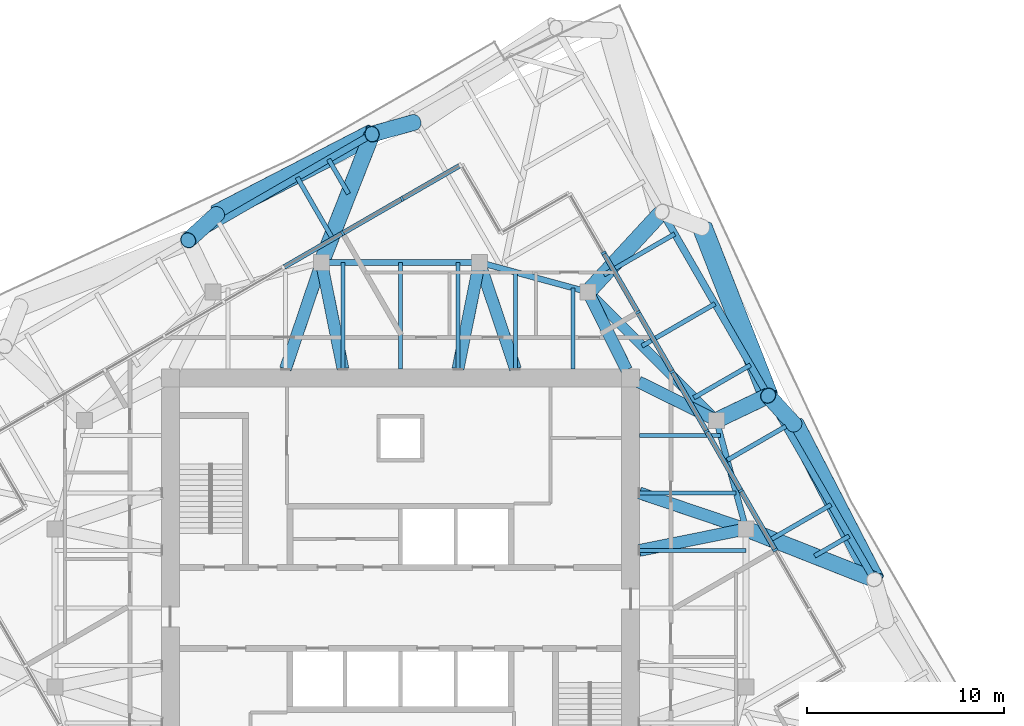
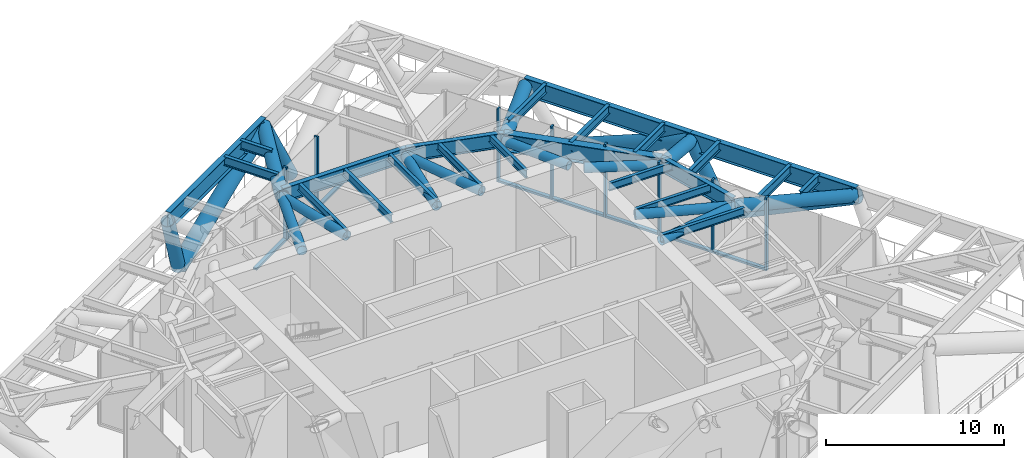
# One storey, part 5 of 12: 34 members, 23 beams, 2 elements without a shape of their own.
"""IFC4 building model written with IfcOpenShell, lengths in metres."""

from ifc_helpers import new_model, si_unit, direction, frame, origin, origin_2d, place, context, subcontext, project, spatial, rectangle, hollow_circle, i_section, extrude, material, material_profile, profile_set, type_object, element, aggregate, save


model = new_model("IFC4")

# Units and contexts
model_context = context("Model", 3, precision=1e-05, world=origin(), true_north=direction((0.0, 1.0)))
body_context = subcontext(model_context, "Body", "Model", "MODEL_VIEW")
ifc_project = project(units=[si_unit("LENGTHUNIT", "METRE"), si_unit("AREAUNIT", "SQUARE_METRE"), si_unit("VOLUMEUNIT", "CUBIC_METRE"), si_unit("PLANEANGLEUNIT", "RADIAN"), si_unit("MASSUNIT", "GRAM", prefix="KILO")], contexts=[model_context])

# Site, building, storey
site_placement = place(None, origin())
site = spatial("IfcSite", under=ifc_project, at=site_placement, CompositionType="ELEMENT")
building_placement = place(site_placement, origin())
building = spatial("IfcBuilding", under=site, at=building_placement, Name="Torsade Residences", CompositionType="ELEMENT")
storey_placement = place(building_placement, frame((0.0, 0.0, 203.199951171875)))
storey = spatial("IfcBuildingStorey", under=building, at=storey_placement, Name="L56", CompositionType="ELEMENT", Elevation=203.199951171875)

# Curtain wall, members
ifc_material_1 = material(Name="Aluminium and glass", Category="aluminium")
curtain_wall_type = type_object("IfcCurtainWallType", Name="TRANSFER LEVEL CURTAIN WALL HIGH ZONE", PredefinedType="NOTDEFINED", material=ifc_material_1)
curtain_wall_1_placement = place(storey_placement, origin())
curtain_wall_1 = element("IfcCurtainWall", 1, at=curtain_wall_1_placement, inside=storey, type_object=curtain_wall_type, Name="Curtain wall L56 face 4", PredefinedType="NOTDEFINED")
ifc_material_2 = material(Name="Aluminium mullion", Category="aluminium")
ifc_material_profile_1 = material_profile(ifc_material_2, rectangle(XDim=0.25, YDim=0.1201171875, at=origin_2d()), Name="HIGH ZONE TRANSFER CURTAIN WALL MULLION 250x120")
ifc_profile_set_1 = profile_set([ifc_material_profile_1], Name="Aluminium mullion")
member_type_1 = type_object("IfcMemberType", Name="HIGH ZONE TRANSFER CURTAIN WALL MULLION 250x120", PredefinedType="MULLION", material=ifc_profile_set_1)
member_1_placement = place(storey_placement, frame((58.976806640625, 32.93115234375, 0.0), z_axis=(0.0, 0.0, 1.0), x_axis=(-0.86602540176, -0.500000003507, 0.0)))
member_1 = element("IfcMember", 2, at=member_1_placement, type_object=member_type_1, Name="Mullion 3", PredefinedType="MULLION", context=body_context, shape_type="SweptSolid", body=[
    extrude(rectangle(XDim=0.25, YDim=0.1201171875, at=origin_2d()), origin(), (0.0, 0.0, 1.0), 5.0),
])
member_2_placement = place(storey_placement, frame((57.2392578125, 35.940673828125, 0.0), z_axis=(0.0, 0.0, 1.0), x_axis=(-0.86602540176, -0.500000003507, 0.0)))
member_2 = element("IfcMember", 3, at=member_2_placement, type_object=member_type_1, Name="Mullion 4", PredefinedType="MULLION", context=body_context, shape_type="SweptSolid", body=[
    extrude(rectangle(XDim=0.25, YDim=0.1201171875, at=origin_2d()), origin(), (0.0, 0.0, 1.0), 5.0),
])
member_3_placement = place(storey_placement, frame((55.501953125, 38.949951171875, 0.0), z_axis=(0.0, 0.0, 1.0), x_axis=(-0.86602540176, -0.500000003507, 0.0)))
member_3 = element("IfcMember", 4, at=member_3_placement, type_object=member_type_1, Name="Mullion 5", PredefinedType="MULLION", context=body_context, shape_type="SweptSolid", body=[
    extrude(rectangle(XDim=0.25, YDim=0.1201171875, at=origin_2d()), origin(), (0.0, 0.0, 1.0), 5.0),
])
member_4_placement = place(storey_placement, frame((53.764404296875, 41.95947265625, 0.0), z_axis=(0.0, 0.0, 1.0), x_axis=(-0.86602540176, -0.500000003507, 0.0)))
member_4 = element("IfcMember", 5, at=member_4_placement, type_object=member_type_1, Name="Mullion 6", PredefinedType="MULLION", context=body_context, shape_type="SweptSolid", body=[
    extrude(rectangle(XDim=0.25, YDim=0.1201171875, at=origin_2d()), origin(), (0.0, 0.0, 1.0), 5.0),
])
member_5_placement = place(storey_placement, frame((52.02685546875, 44.968994140625, 0.0), z_axis=(0.0, 0.0, 1.0), x_axis=(-0.86602540176, -0.500000003507, 0.0)))
member_5 = element("IfcMember", 6, at=member_5_placement, type_object=member_type_1, Name="Mullion 7", PredefinedType="MULLION", context=body_context, shape_type="SweptSolid", body=[
    extrude(rectangle(XDim=0.25, YDim=0.1201171875, at=origin_2d()), origin(), (0.0, 0.0, 1.0), 5.0),
])
member_6_placement = place(storey_placement, frame((50.289306640625, 47.978271484375, 0.0), z_axis=(0.0, 0.0, 1.0), x_axis=(-0.86602540176, -0.500000003507, 0.0)))
member_6 = element("IfcMember", 7, at=member_6_placement, type_object=member_type_1, Name="Mullion 8", PredefinedType="MULLION", context=body_context, shape_type="SweptSolid", body=[
    extrude(rectangle(XDim=0.25, YDim=0.1201171875, at=origin_2d()), origin(), (0.0, 0.0, 1.0), 5.0),
])

curtain_wall_2_placement = place(storey_placement, origin())
curtain_wall_2 = element("IfcCurtainWall", 8, at=curtain_wall_2_placement, inside=storey, type_object=curtain_wall_type, Name="Curtain wall L56 face 7", PredefinedType="NOTDEFINED")
member_7_placement = place(storey_placement, frame((40.078369140625, 50.71435546875, 0.0), z_axis=(0.0, 0.0, 1.0), x_axis=(0.500000003507, -0.86602540176, 0.0)))
member_7 = element("IfcMember", 9, at=member_7_placement, type_object=member_type_1, Name="Mullion 2", PredefinedType="MULLION", context=body_context, shape_type="SweptSolid", body=[
    extrude(rectangle(XDim=0.25, YDim=0.1201171875, at=origin_2d()), origin(), (0.0, 0.0, 1.0), 5.0),
])
member_8_placement = place(storey_placement, frame((37.06884765625, 48.976806640625, 0.0), z_axis=(0.0, 0.0, 1.0), x_axis=(0.500000003507, -0.86602540176, 0.0)))
member_8 = element("IfcMember", 10, at=member_8_placement, type_object=member_type_1, Name="Mullion 3", PredefinedType="MULLION", context=body_context, shape_type="SweptSolid", body=[
    extrude(rectangle(XDim=0.25, YDim=0.1201171875, at=origin_2d()), origin(), (0.0, 0.0, 1.0), 5.0),
])

# Member
ifc_material_3 = material(Name="Aluminium transom", Category="aluminium")
ifc_material_profile_2 = material_profile(ifc_material_3, rectangle(XDim=0.25, YDim=0.139892578125, at=origin_2d()), Name="HIGH ZONE TRANSFER CURTAIN WALL TRANSOM 250x140")
ifc_profile_set_2 = profile_set([ifc_material_profile_2], Name="Aluminium transom")
member_type_2 = type_object("IfcMemberType", Name="HIGH ZONE TRANSFER CURTAIN WALL TRANSOM 250x140", PredefinedType="USERDEFINED", material=ifc_profile_set_2)
member_9_placement = place(storey_placement, frame((58.94677734375, 32.983154296875, 0.070068359375), z_axis=(-0.499997513821, 0.866026839176, 0.0), x_axis=(-0.866026839176, -0.499997513821, 0.0)))
member_9 = element("IfcMember", 11, at=member_9_placement, type_object=member_type_2, Name="Transom 3.1", ObjectType="TRANSOM", PredefinedType="USERDEFINED", context=body_context, shape_type="SweptSolid", body=[
    extrude(rectangle(XDim=0.25, YDim=0.139892578125, at=origin_2d()), origin(), (0.0, 0.0, 1.0), 3.35498046875),
])

member_10_placement = place(storey_placement, frame((57.20947265625, 35.992431640625, 0.070068359375), z_axis=(-0.50005208796, 0.865995328698, 0.0), x_axis=(-0.865995328698, -0.50005208796, 0.0)))
member_10 = element("IfcMember", 12, at=member_10_placement, type_object=member_type_2, Name="Transom 4.1", ObjectType="TRANSOM", PredefinedType="USERDEFINED", context=body_context, shape_type="SweptSolid", body=[
    extrude(rectangle(XDim=0.25, YDim=0.139892578125, at=origin_2d()), origin(), (0.0, 0.0, 1.0), 3.355224609375),
])

member_11_placement = place(storey_placement, frame((55.471923828125, 39.001953125, 0.070068359375), z_axis=(-0.499997513821, 0.866026839176, 0.0), x_axis=(-0.866026839176, -0.499997513821, 0.0)))
member_11 = element("IfcMember", 13, at=member_11_placement, type_object=member_type_2, Name="Transom 5.1", ObjectType="TRANSOM", PredefinedType="USERDEFINED", context=body_context, shape_type="SweptSolid", body=[
    extrude(rectangle(XDim=0.25, YDim=0.139892578125, at=origin_2d()), origin(), (0.0, 0.0, 1.0), 3.35498046875),
])

member_12_placement = place(storey_placement, frame((53.734375, 42.011474609375, 0.070068359375), z_axis=(-0.499997513821, 0.866026839176, 0.0), x_axis=(-0.866026839176, -0.499997513821, 0.0)))
member_12 = element("IfcMember", 14, at=member_12_placement, type_object=member_type_2, Name="Transom 6.1", ObjectType="TRANSOM", PredefinedType="USERDEFINED", context=body_context, shape_type="SweptSolid", body=[
    extrude(rectangle(XDim=0.25, YDim=0.139892578125, at=origin_2d()), origin(), (0.0, 0.0, 1.0), 3.35498046875),
])

member_13_placement = place(storey_placement, frame((51.996826171875, 45.020751953125, 0.070068359375), z_axis=(-0.499997513821, 0.866026839176, 0.0), x_axis=(-0.866026839176, -0.499997513821, 0.0)))
member_13 = element("IfcMember", 15, at=member_13_placement, type_object=member_type_2, Name="Transom 7.1", ObjectType="TRANSOM", PredefinedType="USERDEFINED", context=body_context, shape_type="SweptSolid", body=[
    extrude(rectangle(XDim=0.25, YDim=0.139892578125, at=origin_2d()), origin(), (0.0, 0.0, 1.0), 3.35498046875),
])

aggregate(curtain_wall_1, [member_1, member_2, member_3, member_4, member_5, member_6, member_9, member_10, member_11, member_12, member_13])

member_14_placement = place(storey_placement, frame((42.98388671875, 52.391845703125, 0.070068359375), z_axis=(-0.866027647951, -0.499996112969, 0.0), x_axis=(0.499996112969, -0.866027647951, 0.0)))
member_14 = element("IfcMember", 16, at=member_14_placement, type_object=member_type_2, Name="Transom 1.1", ObjectType="TRANSOM", PredefinedType="USERDEFINED", context=body_context, shape_type="SweptSolid", body=[
    extrude(rectangle(XDim=0.25, YDim=0.139892578125, at=origin_2d()), origin(), (0.0, 0.0, 1.0), 3.294921875),
])

member_15_placement = place(storey_placement, frame((40.0263671875, 50.684326171875, 0.070068359375), z_axis=(-0.866026839176, -0.499997513821, 0.0), x_axis=(0.499997513821, -0.866026839176, 0.0)))
member_15 = element("IfcMember", 17, at=member_15_placement, type_object=member_type_2, Name="Transom 2.1", ObjectType="TRANSOM", PredefinedType="USERDEFINED", context=body_context, shape_type="SweptSolid", body=[
    extrude(rectangle(XDim=0.25, YDim=0.139892578125, at=origin_2d()), origin(), (0.0, 0.0, 1.0), 3.35498046875),
])

member_16_placement = place(storey_placement, frame((37.016845703125, 48.94677734375, 0.070068359375), z_axis=(-0.866026839176, -0.499997513821, 0.0), x_axis=(0.499997513821, -0.866026839176, 0.0)))
member_16 = element("IfcMember", 18, at=member_16_placement, type_object=member_type_2, Name="Transom 3.1", ObjectType="TRANSOM", PredefinedType="USERDEFINED", context=body_context, shape_type="SweptSolid", body=[
    extrude(rectangle(XDim=0.25, YDim=0.139892578125, at=origin_2d()), origin(), (0.0, 0.0, 1.0), 3.35498046875),
])

aggregate(curtain_wall_2, [member_7, member_8, member_14, member_15, member_16])

# Beams
ifc_material_4 = material(Name="Steel grade 300", Category="steel")
ifc_material_profile_3 = material_profile(ifc_material_4, i_section(OverallWidth=0.208984375, OverallDepth=0.528076171875, WebThickness=0.009521484375, FlangeThickness=0.01318359375, FilletRadius=0.013916015625, at=origin_2d()), Name="530UB82.0")
ifc_profile_set_3 = profile_set([ifc_material_profile_3], Name="Steel grade 300")
beam_type_1 = type_object("IfcBeamType", Name="INNER FLOOR BEAM 530UB82.0", PredefinedType="JOIST", material=ifc_profile_set_3)
for number, where, z_axis, x_axis, name in (
    (19, (37.08740234375, 42.10009765625, 4.5859375), (0.0, 1.0, 0.0), (-1.0, 0.0, 0.0), "Inner floor beam IN03 L57"),
    (20, (40.0, 42.10009765625, 4.5859375), (0.0, 1.0, 0.0), (-1.0, 0.0, 0.0), "Inner floor beam IN04 L57"),
    (21, (42.91259765625, 42.10009765625, 4.5859375), (0.0, 1.0, 0.0), (-1.0, 0.0, 0.0), "Inner floor beam IN05 L57"),
):
    element("IfcBeam", number, at=place(storey_placement, frame(where, z_axis=z_axis, x_axis=x_axis)), inside=storey, type_object=beam_type_1, Name=name, PredefinedType="JOIST", context=body_context, shape_type="SweptSolid", body=[
        extrude(i_section(OverallWidth=0.208984375, OverallDepth=0.528076171875, WebThickness=0.009521484375, FlangeThickness=0.01318359375, FilletRadius=0.013916015625, at=origin_2d()), origin(), (0.0, 0.0, 1.0), 5.39990234375),
    ])
beam_1_placement = place(storey_placement, frame((45.824951171875, 42.10009765625, 4.5859375), z_axis=(0.0, 1.0, 0.0), x_axis=(-1.0, 0.0, 0.0)))
element("IfcBeam", 22, at=beam_1_placement, inside=storey, type_object=beam_type_1, Name="Inner floor beam IN06 L57", PredefinedType="JOIST", context=body_context, shape_type="SweptSolid", body=[
    extrude(i_section(OverallWidth=0.208984375, OverallDepth=0.528076171875, WebThickness=0.009521484375, FlangeThickness=0.01318359375, FilletRadius=0.013916015625, at=origin_2d()), origin(), (0.0, 0.0, 1.0), 4.902099609375),
])
beam_2_placement = place(storey_placement, frame((48.737548828125, 42.10009765625, 4.5859375), z_axis=(0.0, 1.0, 0.0), x_axis=(-1.0, 0.0, 0.0)))
element("IfcBeam", 23, at=beam_2_placement, inside=storey, type_object=beam_type_1, Name="Inner floor beam IN07 L57", PredefinedType="JOIST", context=body_context, shape_type="SweptSolid", body=[
    extrude(i_section(OverallWidth=0.208984375, OverallDepth=0.528076171875, WebThickness=0.009521484375, FlangeThickness=0.01318359375, FilletRadius=0.013916015625, at=origin_2d()), origin(), (0.0, 0.0, 1.0), 4.10791015625),
])
beam_3_placement = place(storey_placement, frame((52.10009765625, 32.91259765625, 4.5859375), z_axis=(1.0, 0.0, 0.0), x_axis=(0.0, 1.0, 0.0)))
element("IfcBeam", 24, at=beam_3_placement, inside=storey, type_object=beam_type_1, Name="Inner floor beam IE05 L57", PredefinedType="JOIST", context=body_context, shape_type="SweptSolid", body=[
    extrude(i_section(OverallWidth=0.208984375, OverallDepth=0.528076171875, WebThickness=0.009521484375, FlangeThickness=0.01318359375, FilletRadius=0.013916015625, at=origin_2d()), origin(), (0.0, 0.0, 1.0), 5.39990234375),
])
beam_4_placement = place(storey_placement, frame((52.10009765625, 35.824951171875, 4.5859375), z_axis=(1.0, 0.0, 0.0), x_axis=(0.0, 1.0, 0.0)))
element("IfcBeam", 25, at=beam_4_placement, inside=storey, type_object=beam_type_1, Name="Inner floor beam IE06 L57", PredefinedType="JOIST", context=body_context, shape_type="SweptSolid", body=[
    extrude(i_section(OverallWidth=0.208984375, OverallDepth=0.528076171875, WebThickness=0.009521484375, FlangeThickness=0.01318359375, FilletRadius=0.013916015625, at=origin_2d()), origin(), (0.0, 0.0, 1.0), 4.902099609375),
])
beam_5_placement = place(storey_placement, frame((52.10009765625, 38.737548828125, 4.5859375), z_axis=(1.0, 0.0, 0.0), x_axis=(0.0, 1.0, 0.0)))
element("IfcBeam", 26, at=beam_5_placement, inside=storey, type_object=beam_type_1, Name="Inner floor beam IE07 L57", PredefinedType="JOIST", context=body_context, shape_type="SweptSolid", body=[
    extrude(i_section(OverallWidth=0.208984375, OverallDepth=0.528076171875, WebThickness=0.009521484375, FlangeThickness=0.01318359375, FilletRadius=0.013916015625, at=origin_2d()), origin(), (0.0, 0.0, 1.0), 4.10791015625),
])
ifc_material_5 = material(Name="Steel grade 300", Category="steel")
ifc_material_profile_4 = material_profile(ifc_material_5, i_section(OverallWidth=0.5, OverallDepth=1.199951171875, WebThickness=0.01611328125, FlangeThickness=0.0400390625, at=origin_2d()), Name="1200WB455")
ifc_profile_set_4 = profile_set([ifc_material_profile_4], Name="Steel grade 300")
beam_type_2 = type_object("IfcBeamType", Name="RING CORNER GIRDER 1200WB455", PredefinedType="BEAM", material=ifc_profile_set_4)
beam_6_placement = place(storey_placement, frame((56.0, 39.5, 4.25), z_axis=(-0.707106781187, 0.707106781187, 0.0), x_axis=(-0.707106781187, -0.707106781187, 0.0)))
element("IfcBeam", 27, at=beam_6_placement, inside=storey, type_object=beam_type_2, Name="Ring girder IR03 L57", PredefinedType="BEAM", context=body_context, shape_type="SweptSolid", body=[
    extrude(i_section(OverallWidth=0.5, OverallDepth=1.199951171875, WebThickness=0.01611328125, FlangeThickness=0.0400390625, at=origin_2d()), origin(), (0.0, 0.0, 1.0), 9.1923828125),
])
ifc_material_6 = material(Name="Steel grade 300", Category="steel")
ifc_material_profile_5 = material_profile(ifc_material_6, i_section(OverallWidth=0.300048828125, OverallDepth=1.0, WebThickness=0.01611328125, FlangeThickness=0.028076171875, at=origin_2d()), Name="1000WB215")
ifc_profile_set_5 = profile_set([ifc_material_profile_5], Name="Steel grade 300")
beam_type_3 = type_object("IfcBeamType", Name="RING GIRDER 1000WB215", PredefinedType="BEAM", material=ifc_profile_set_5)
for number, where, z_axis, x_axis, name in (
    (28, (57.5, 34.0, 4.35009765625), (-0.263117405792, 0.964763821238, 0.0), (-0.964763821238, -0.263117405792, 0.0), "Ring girder IR02 L57"),
    (29, (49.5, 46.0, 4.35009765625), (-0.964763821238, 0.263117405792, 0.0), (-0.263117405792, -0.964763821238, 0.0), "Ring girder IR04 L57"),
):
    element("IfcBeam", number, at=place(storey_placement, frame(where, z_axis=z_axis, x_axis=x_axis)), inside=storey, type_object=beam_type_3, Name=name, PredefinedType="BEAM", context=body_context, shape_type="SweptSolid", body=[
        extrude(i_section(OverallWidth=0.300048828125, OverallDepth=1.0, WebThickness=0.01611328125, FlangeThickness=0.028076171875, at=origin_2d()), origin(), (0.0, 0.0, 1.0), 5.700927734375),
    ])
beam_7_placement = place(storey_placement, frame((44.0, 47.5, 4.35009765625), z_axis=(-1.0, 0.0, 0.0), x_axis=(0.0, -1.0, 0.0)))
element("IfcBeam", 30, at=beam_7_placement, inside=storey, type_object=beam_type_3, Name="Ring girder IR05 L57", PredefinedType="BEAM", context=body_context, shape_type="SweptSolid", body=[
    extrude(i_section(OverallWidth=0.300048828125, OverallDepth=1.0, WebThickness=0.01611328125, FlangeThickness=0.028076171875, at=origin_2d()), origin(), (0.0, 0.0, 1.0), 8.0),
])
ifc_material_7 = material(Name="Steel grade 300", Category="steel")
ifc_material_profile_6 = material_profile(ifc_material_7, i_section(OverallWidth=0.22900390625, OverallDepth=0.612060546875, WebThickness=0.011962890625, FlangeThickness=0.01953125, FilletRadius=0.013916015625, at=origin_2d()), Name="610UB125")
ifc_profile_set_6 = profile_set([ifc_material_profile_6], Name="Steel grade 300")
beam_type_4 = type_object("IfcBeamType", Name="SECONDARY BEAM 610UB125", PredefinedType="JOIST", material=ifc_profile_set_6)
beam_8_placement = place(storey_placement, frame((62.7236328125, 33.641357421875, 4.5439453125), z_axis=(-0.865996458488, -0.500050131373, 0.0), x_axis=(0.500050131373, -0.865996458488, 0.0)))
element("IfcBeam", 31, at=beam_8_placement, inside=storey, type_object=beam_type_4, Name="Floor beam FE04 L57", PredefinedType="JOIST", context=body_context, shape_type="SweptSolid", body=[
    extrude(i_section(OverallWidth=0.22900390625, OverallDepth=0.612060546875, WebThickness=0.011962890625, FlangeThickness=0.01953125, FilletRadius=0.013916015625, at=origin_2d()), origin(), (0.0, 0.0, 1.0), 2.020751953125),
])
beam_9_placement = place(storey_placement, frame((61.80712890625, 35.22900390625, 4.5439453125), z_axis=(-0.866040668696, -0.499973559465, 0.0), x_axis=(0.499973559465, -0.866040668696, 0.0)))
element("IfcBeam", 32, at=beam_9_placement, inside=storey, type_object=beam_type_4, Name="Floor beam FE05 L57", PredefinedType="JOIST", context=body_context, shape_type="SweptSolid", body=[
    extrude(i_section(OverallWidth=0.22900390625, OverallDepth=0.612060546875, WebThickness=0.011962890625, FlangeThickness=0.01953125, FilletRadius=0.013916015625, at=origin_2d()), origin(), (0.0, 0.0, 1.0), 3.478759765625),
])
beam_10_placement = place(storey_placement, frame((59.515380859375, 39.198486328125, 4.5439453125), z_axis=(-0.866001587311, -0.500041249073, 0.0), x_axis=(0.500041249073, -0.866001587311, 0.0)))
element("IfcBeam", 33, at=beam_10_placement, inside=storey, type_object=beam_type_4, Name="Floor beam FE06 L57", PredefinedType="JOIST", context=body_context, shape_type="SweptSolid", body=[
    extrude(i_section(OverallWidth=0.22900390625, OverallDepth=0.612060546875, WebThickness=0.011962890625, FlangeThickness=0.01953125, FilletRadius=0.013916015625, at=origin_2d()), origin(), (0.0, 0.0, 1.0), 3.425048828125),
])
beam_11_placement = place(storey_placement, frame((57.7236328125, 42.301513671875, 4.5439453125), z_axis=(-0.866039541186, -0.499975512502, 0.0), x_axis=(0.499975512502, -0.866039541186, 0.0)))
element("IfcBeam", 34, at=beam_11_placement, inside=storey, type_object=beam_type_4, Name="Floor beam FE07 L57", PredefinedType="JOIST", context=body_context, shape_type="SweptSolid", body=[
    extrude(i_section(OverallWidth=0.22900390625, OverallDepth=0.612060546875, WebThickness=0.011962890625, FlangeThickness=0.01953125, FilletRadius=0.013916015625, at=origin_2d()), origin(), (0.0, 0.0, 1.0), 3.312744140625),
])
beam_12_placement = place(storey_placement, frame((55.93212890625, 45.40478515625, 4.5439453125), z_axis=(-0.866022880939, -0.500004369671, 0.0), x_axis=(0.500004369671, -0.866022880939, 0.0)))
element("IfcBeam", 35, at=beam_12_placement, inside=storey, type_object=beam_type_4, Name="Floor beam FE08 L57", PredefinedType="JOIST", context=body_context, shape_type="SweptSolid", body=[
    extrude(i_section(OverallWidth=0.22900390625, OverallDepth=0.612060546875, WebThickness=0.011962890625, FlangeThickness=0.01953125, FilletRadius=0.013916015625, at=origin_2d()), origin(), (0.0, 0.0, 1.0), 4.27294921875),
])
beam_13_placement = place(storey_placement, frame((53.890380859375, 48.941162109375, 4.5439453125), z_axis=(-0.866037435306, -0.499979160215, 0.0), x_axis=(0.499979160215, -0.866037435306, 0.0)))
element("IfcBeam", 36, at=beam_13_placement, inside=storey, type_object=beam_type_4, Name="Floor beam FE09 L57", PredefinedType="JOIST", context=body_context, shape_type="SweptSolid", body=[
    extrude(i_section(OverallWidth=0.22900390625, OverallDepth=0.612060546875, WebThickness=0.011962890625, FlangeThickness=0.01953125, FilletRadius=0.013916015625, at=origin_2d()), origin(), (0.0, 0.0, 1.0), 4.143798828125),
])
beam_14_placement = place(storey_placement, frame((36.358642578125, 52.7236328125, 4.5439453125), z_axis=(0.500050131373, -0.865996458488, 0.0), x_axis=(0.865996458488, 0.500050131373, 0.0)))
element("IfcBeam", 37, at=beam_14_placement, inside=storey, type_object=beam_type_4, Name="Floor beam FN04 L57", PredefinedType="JOIST", context=body_context, shape_type="SweptSolid", body=[
    extrude(i_section(OverallWidth=0.22900390625, OverallDepth=0.612060546875, WebThickness=0.011962890625, FlangeThickness=0.01953125, FilletRadius=0.013916015625, at=origin_2d()), origin(), (0.0, 0.0, 1.0), 2.020751953125),
])
beam_15_placement = place(storey_placement, frame((34.77099609375, 51.80712890625, 4.5439453125), z_axis=(0.499973559465, -0.866040668696, 0.0), x_axis=(0.866040668696, 0.499973559465, 0.0)))
element("IfcBeam", 38, at=beam_15_placement, inside=storey, type_object=beam_type_4, Name="Floor beam FN05 L57", PredefinedType="JOIST", context=body_context, shape_type="SweptSolid", body=[
    extrude(i_section(OverallWidth=0.22900390625, OverallDepth=0.612060546875, WebThickness=0.011962890625, FlangeThickness=0.01953125, FilletRadius=0.013916015625, at=origin_2d()), origin(), (0.0, 0.0, 1.0), 3.478759765625),
])

# Members
ifc_material_8 = material(Name="Steel grade 450", Category="steel")
ifc_material_profile_7 = material_profile(ifc_material_8, hollow_circle(Radius=0.304931640625, WallThickness=0.01611328125, at=origin_2d()), Name="610.0x16.0CHS")
ifc_profile_set_7 = profile_set([ifc_material_profile_7], Name="Steel grade 450")
member_type_3 = type_object("IfcMemberType", Name="TRANSFER FLOOR BRACE 610.0x16.0CHS", PredefinedType="BRACE", material=ifc_profile_set_7)
member_17_placement = place(storey_placement, frame((57.5, 34.0, 4.25), z_axis=(-0.97976207845, -0.197299045909, 0.03375434957), x_axis=(0.197411538983, -0.980320704809, 0.0)))
element("IfcMember", 39, at=member_17_placement, inside=storey, type_object=member_type_3, Name="Transfer floor brace TT6 top IR02IE05", PredefinedType="BRACE", context=body_context, shape_type="SweptSolid", body=[
    extrude(hollow_circle(Radius=0.304931640625, WallThickness=0.01611328125, at=origin_2d()), origin(), (0.0, 0.0, 1.0), 5.511474609375),
])
member_18_placement = place(storey_placement, frame((57.5, 34.0, 4.25), z_axis=(-0.946855969774, 0.319999474368, 0.032620682203), x_axis=(-0.320169867513, -0.947360151124, 0.0)))
element("IfcMember", 40, at=member_18_placement, inside=storey, type_object=member_type_3, Name="Transfer floor brace TT6 top IR02IE06", PredefinedType="BRACE", context=body_context, shape_type="SweptSolid", body=[
    extrude(hollow_circle(Radius=0.304931640625, WallThickness=0.01611328125, at=origin_2d()), origin(), (0.0, 0.0, 1.0), 5.702880859375),
])
for number, where, z_axis, x_axis, name in (
    (41, (56.0, 39.5, 4.25), (-0.896469701914, 0.443105036702, 0.0), (-0.443105036702, -0.896469701914, 0.0), "Transfer floor brace TT6 top IR03C"),
    (42, (49.5, 46.0, 4.25), (0.443105036702, -0.896469701914, 0.0), (0.896469701914, 0.443105036702, 0.0), "Transfer floor brace TT6 top IR04C"),
):
    element("IfcMember", number, at=place(storey_placement, frame(where, z_axis=z_axis, x_axis=x_axis)), inside=storey, type_object=member_type_3, Name=name, PredefinedType="BRACE", context=body_context, shape_type="SweptSolid", body=[
        extrude(hollow_circle(Radius=0.304931640625, WallThickness=0.01611328125, at=origin_2d()), origin(), (0.0, 0.0, 1.0), 4.40234375),
    ])
member_19_placement = place(storey_placement, frame((44.0, 47.5, 4.25), z_axis=(-0.197299045909, -0.97976207845, 0.03375434957), x_axis=(0.980320704809, -0.197411538983, 0.0)))
element("IfcMember", 43, at=member_19_placement, inside=storey, type_object=member_type_3, Name="Transfer floor brace TT6 top IR05IN05", PredefinedType="BRACE", context=body_context, shape_type="SweptSolid", body=[
    extrude(hollow_circle(Radius=0.304931640625, WallThickness=0.01611328125, at=origin_2d()), origin(), (0.0, 0.0, 1.0), 5.511474609375),
])
member_20_placement = place(storey_placement, frame((44.0, 47.5, 4.25), z_axis=(0.319999474368, -0.946855969774, 0.032620682203), x_axis=(0.947360151124, 0.320169867513, 0.0)))
element("IfcMember", 44, at=member_20_placement, inside=storey, type_object=member_type_3, Name="Transfer floor brace TT6 top IR05IN06", PredefinedType="BRACE", context=body_context, shape_type="SweptSolid", body=[
    extrude(hollow_circle(Radius=0.304931640625, WallThickness=0.01611328125, at=origin_2d()), origin(), (0.0, 0.0, 1.0), 5.702880859375),
])
member_21_placement = place(storey_placement, frame((36.0, 47.5, 4.25), z_axis=(0.197299045909, -0.97976207845, 0.03375434957), x_axis=(0.980320704809, 0.197411538983, 0.0)))
element("IfcMember", 45, at=member_21_placement, inside=storey, type_object=member_type_3, Name="Transfer floor brace TT6 top IR06IN03", PredefinedType="BRACE", context=body_context, shape_type="SweptSolid", body=[
    extrude(hollow_circle(Radius=0.304931640625, WallThickness=0.01611328125, at=origin_2d()), origin(), (0.0, 0.0, 1.0), 5.511474609375),
])
member_22_placement = place(storey_placement, frame((36.0, 47.5, 4.25), z_axis=(-0.319999474368, -0.946855969774, 0.032620682203), x_axis=(0.947360151124, -0.320169867513, 0.0)))
element("IfcMember", 46, at=member_22_placement, inside=storey, type_object=member_type_3, Name="Transfer floor brace TT6 top IR06IN02", PredefinedType="BRACE", context=body_context, shape_type="SweptSolid", body=[
    extrude(hollow_circle(Radius=0.304931640625, WallThickness=0.01611328125, at=origin_2d()), origin(), (0.0, 0.0, 1.0), 5.702880859375),
])
ifc_material_9 = material(Name="Steel grade 450", Category="steel")
ifc_material_profile_8 = material_profile(ifc_material_9, hollow_circle(Radius=0.406494140625, WallThickness=0.02490234375, at=origin_2d()), Name="813.0x25.0CHS")
ifc_profile_set_8 = profile_set([ifc_material_profile_8], Name="Steel grade 450")
member_type_4 = type_object("IfcMemberType", Name="TRANSFER FLOOR STRUT 813.0x25.0CHS", PredefinedType="STRUT", material=ifc_profile_set_8)
member_23_placement = place(storey_placement, frame((63.99462890625, 31.440185546875, 4.25), z_axis=(-0.930343687176, 0.366688728668, 0.0), x_axis=(-0.366688728668, -0.930343687176, 0.0)))
element("IfcMember", 47, at=member_23_placement, inside=storey, type_object=member_type_4, Name="Transfer floor strut TT6 top 06IR02", PredefinedType="STRUT", context=body_context, shape_type="SweptSolid", body=[
    extrude(hollow_circle(Radius=0.406494140625, WallThickness=0.02490234375, at=origin_2d()), origin(), (0.0, 0.0, 1.0), 6.98095703125),
])
member_24_placement = place(storey_placement, frame((58.61962890625, 40.75, 4.25), z_axis=(-0.902518189348, -0.430651736204, 0.0), x_axis=(0.430651736204, -0.902518189348, 0.0)))
element("IfcMember", 48, at=member_24_placement, inside=storey, type_object=member_type_4, Name="Transfer floor strut TT6 top 07IR03", PredefinedType="STRUT", context=body_context, shape_type="SweptSolid", body=[
    extrude(hollow_circle(Radius=0.406494140625, WallThickness=0.02490234375, at=origin_2d()), origin(), (0.0, 0.0, 1.0), 2.902587890625),
])
member_25_placement = place(storey_placement, frame((53.24462890625, 50.059814453125, 4.25), z_axis=(-0.67799731791, -0.735064376029, 0.0), x_axis=(0.735064376029, -0.67799731791, 0.0)))
element("IfcMember", 49, at=member_25_placement, inside=storey, type_object=member_type_4, Name="Transfer floor strut TT6 top 08IR04", PredefinedType="STRUT", context=body_context, shape_type="SweptSolid", body=[
    extrude(hollow_circle(Radius=0.406494140625, WallThickness=0.02490234375, at=origin_2d()), origin(), (0.0, 0.0, 1.0), 5.523193359375),
])
member_26_placement = place(storey_placement, frame((38.559814453125, 53.99462890625, 4.25), z_axis=(-0.366688728668, -0.930343687176, 0.0), x_axis=(0.930343687176, -0.366688728668, 0.0)))
element("IfcMember", 50, at=member_26_placement, inside=storey, type_object=member_type_4, Name="Transfer floor strut TT6 top 10IR06", PredefinedType="STRUT", context=body_context, shape_type="SweptSolid", body=[
    extrude(hollow_circle(Radius=0.406494140625, WallThickness=0.02490234375, at=origin_2d()), origin(), (0.0, 0.0, 1.0), 6.98095703125),
])

# Beams
ifc_material_10 = material(Name="Steel grade 350", Category="steel")
ifc_material_profile_9 = material_profile(ifc_material_10, i_section(OverallWidth=0.35009765625, OverallDepth=1.199951171875, WebThickness=0.01611328125, FlangeThickness=0.028076171875, at=origin_2d()), Name="1200WB278")
ifc_profile_set_9 = profile_set([ifc_material_profile_9], Name="Steel grade 350")
beam_type_5 = type_object("IfcBeamType", Name="TRANSFER TRUSS CHORD 1200WB278", PredefinedType="USERDEFINED", material=ifc_profile_set_9)
for number, where, z_axis, x_axis, name in (
    (51, (63.99462890625, 31.440185546875, 4.25), (-0.499998333915, 0.866026365697, 0.0), (-0.866026365697, -0.499998333915, 0.0), "Transfer truss TT6 top chord 06"),
    (52, (58.61962890625, 40.75, 4.25), (-0.499998333915, 0.866026365697, 0.0), (-0.866026365697, -0.499998333915, 0.0), "Transfer truss TT6 top chord 07"),
    (53, (38.559814453125, 53.99462890625, 4.25), (-0.866026365697, -0.499998333915, 0.0), (0.499998333915, -0.866026365697, 0.0), "Transfer truss TT6 top chord 10"),
):
    element("IfcBeam", number, at=place(storey_placement, frame(where, z_axis=z_axis, x_axis=x_axis)), inside=storey, type_object=beam_type_5, Name=name, ObjectType="TRANSFER TRUSS CHORD", PredefinedType="USERDEFINED", context=body_context, shape_type="SweptSolid", body=[
        extrude(i_section(OverallWidth=0.35009765625, OverallDepth=1.199951171875, WebThickness=0.01611328125, FlangeThickness=0.028076171875, at=origin_2d()), origin(), (0.0, 0.0, 1.0), 10.75),
    ])

# Members
ifc_material_11 = material(Name="Steel grade 450", Category="steel")
ifc_material_profile_10 = material_profile(ifc_material_11, hollow_circle(Radius=0.508056640625, WallThickness=0.031982421875, at=origin_2d()), Name="1016.0x32.0CHS")
ifc_profile_set_10 = profile_set([ifc_material_profile_10], Name="Steel grade 450")
member_type_5 = type_object("IfcMemberType", Name="TRANSFER TRUSS DIAGONAL 1016.0x32.0CHS", PredefinedType="BRACE", material=ifc_profile_set_10)
member_27_placement = place(storey_placement, frame((59.938720703125, 39.297607421875, -0.199951171875), z_axis=(0.409726294505, -0.793753750819, 0.44953236441), x_axis=(0.888599239643, 0.458684413628, 0.0)))
element("IfcMember", 54, at=member_27_placement, inside=storey, type_object=member_type_5, Name="Transfer truss TT6 diagonal 06", PredefinedType="BRACE", context=body_context, shape_type="SweptSolid", body=[
    extrude(hollow_circle(Radius=0.508056640625, WallThickness=0.031982421875, at=origin_2d()), origin(), (0.0, 0.0, 1.0), 9.899169921875),
])
member_28_placement = place(storey_placement, frame((55.2900390625, 49.26708984375, -0.199951171875), z_axis=(0.327393055572, -0.837471340129, 0.43755632966), x_axis=(0.931360898978, 0.364097343928, 0.0)))
element("IfcMember", 55, at=member_28_placement, inside=storey, type_object=member_type_5, Name="Transfer truss TT6 diagonal 07", PredefinedType="BRACE", context=body_context, shape_type="SweptSolid", body=[
    extrude(hollow_circle(Radius=0.508056640625, WallThickness=0.031982421875, at=origin_2d()), origin(), (0.0, 0.0, 1.0), 10.169921875),
])
member_29_placement = place(storey_placement, frame((30.702392578125, 49.938720703125, -0.199951171875), z_axis=(0.793753750819, 0.409726294505, 0.44953236441), x_axis=(-0.458684413628, 0.888599239643, 0.0)))
element("IfcMember", 56, at=member_29_placement, inside=storey, type_object=member_type_5, Name="Transfer truss TT6 diagonal 10", PredefinedType="BRACE", context=body_context, shape_type="SweptSolid", body=[
    extrude(hollow_circle(Radius=0.508056640625, WallThickness=0.031982421875, at=origin_2d()), origin(), (0.0, 0.0, 1.0), 9.899169921875),
])
ifc_material_12 = material(Name="Steel grade 450", Category="steel")
ifc_material_profile_11 = material_profile(ifc_material_12, hollow_circle(Radius=0.406494140625, WallThickness=0.02490234375, at=origin_2d()), Name="813.0x25.0CHS")
ifc_profile_set_11 = profile_set([ifc_material_profile_11], Name="Steel grade 450")
member_type_6 = type_object("IfcMemberType", Name="TRANSFER TRUSS RAKING STRUT 813.0x25.0CHS", PredefinedType="STRUT", material=ifc_profile_set_11)
member_30_placement = place(storey_placement, frame((59.938720703125, 39.297607421875, -0.199951171875), z_axis=(-0.271234892253, 0.298644526006, 0.915009879898), x_axis=(-0.740260928877, -0.672319683766, 0.0)))
element("IfcMember", 57, at=member_30_placement, inside=storey, type_object=member_type_6, Name="Transfer truss TT6 raking strut 07", PredefinedType="STRUT", context=body_context, shape_type="SweptSolid", body=[
    extrude(hollow_circle(Radius=0.406494140625, WallThickness=0.02490234375, at=origin_2d()), origin(), (0.0, 0.0, 1.0), 4.86328125),
])
member_31_placement = place(storey_placement, frame((40.671875, 54.587646484375, -0.199951171875), z_axis=(-0.425706759262, -0.119528576841, 0.896931811476), x_axis=(0.270323353971, -0.962769590451, 0.0)))
element("IfcMember", 58, at=member_31_placement, inside=storey, type_object=member_type_6, Name="Transfer truss TT6 raking strut 10", PredefinedType="STRUT", context=body_context, shape_type="SweptSolid", body=[
    extrude(hollow_circle(Radius=0.406494140625, WallThickness=0.02490234375, at=origin_2d()), origin(), (0.0, 0.0, 1.0), 4.96142578125),
])
member_32_placement = place(storey_placement, frame((30.702392578125, 49.938720703125, -0.199951171875), z_axis=(-0.298644526006, -0.271234892253, 0.915009879898), x_axis=(0.672319683766, -0.740260928877, 0.0)))
element("IfcMember", 59, at=member_32_placement, inside=storey, type_object=member_type_6, Name="Transfer truss TT6 raking strut 11", PredefinedType="STRUT", context=body_context, shape_type="SweptSolid", body=[
    extrude(hollow_circle(Radius=0.406494140625, WallThickness=0.02490234375, at=origin_2d()), origin(), (0.0, 0.0, 1.0), 4.86328125),
])

save(model, "model.ifc")
